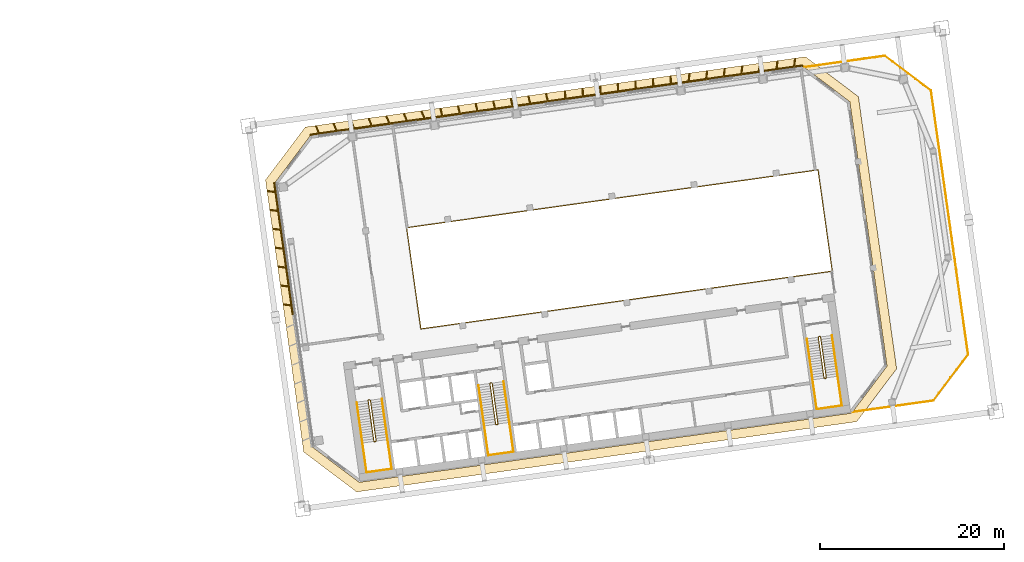
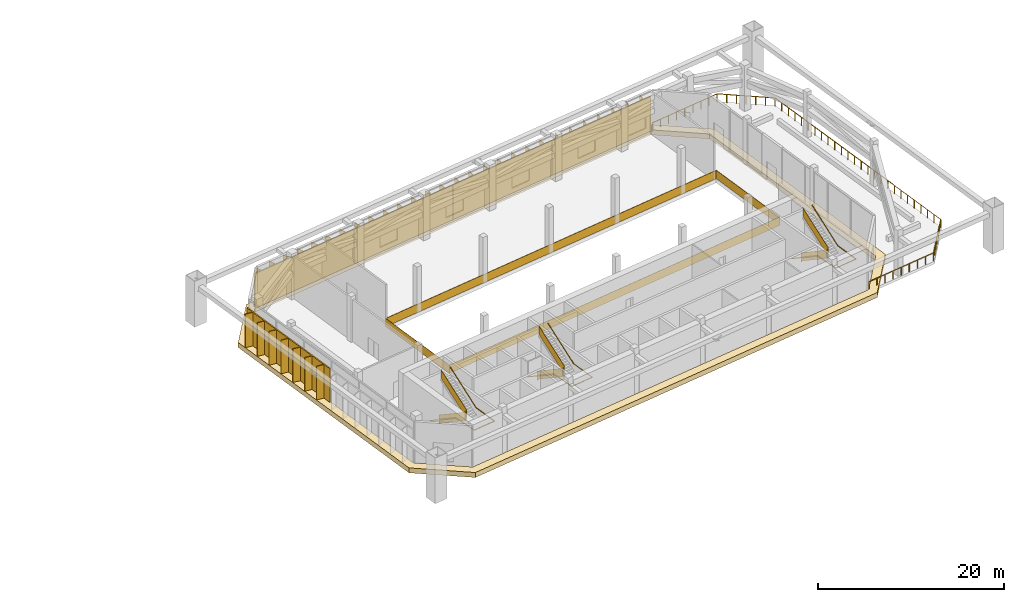
# One storey, part 41 of 41: 8 railings, 5 shading devices, 1 covering.
"""IFC4 building model written with IfcOpenShell, lengths in metres."""

from ifc_helpers import new_model, si_unit, direction, frame, origin, origin_2d, place, context, subcontext, project, spatial, polyline, rectangle, outline, extrude, material, layer, layer_set, type_object, element, save


model = new_model("IFC4")

# Units and contexts
model_context = context("Model", 3, precision=1e-05, world=origin(), true_north=direction((0.0, 1.0)))
body_context = subcontext(model_context, "Body", "Model", "MODEL_VIEW")
ifc_project = project(units=[si_unit("LENGTHUNIT", "METRE"), si_unit("AREAUNIT", "SQUARE_METRE"), si_unit("VOLUMEUNIT", "CUBIC_METRE"), si_unit("PLANEANGLEUNIT", "RADIAN"), si_unit("MASSUNIT", "GRAM", prefix="KILO")], contexts=[model_context])

# Site, building, storey
site_placement = place(None, origin())
site = spatial("IfcSite", under=ifc_project, at=site_placement, CompositionType="ELEMENT")
building_placement = place(site_placement, origin())
building = spatial("IfcBuilding", under=site, at=building_placement, Name="Mirante Cascada Hotel Towers", CompositionType="ELEMENT")
storey_placement = place(building_placement, frame((0.0, 0.0, 92.7)))
storey = spatial("IfcBuildingStorey", under=building, at=storey_placement, Name="L20", CompositionType="ELEMENT", Elevation=92.7)

# Covering
ifc_material_1 = material(Name="Precast concrete C40/50 white", Category="concrete")
ifc_layer = layer(ifc_material_1, 0.6)
ifc_layer_set = layer_set([ifc_layer], Name="Precast concrete SUNSHADE band 1000x600")
covering_type = type_object("IfcCoveringType", Name="Precast concrete SUNSHADE band 1000x600", PredefinedType="CLADDING", material=ifc_layer_set)
covering_placement = place(storey_placement, frame((0.0, 0.0, -0.5)))
element("IfcCovering", 1, at=covering_placement, inside=storey, type_object=covering_type, Name="Precast concrete SUNSHADE band T2 L20", PredefinedType="CLADDING", context=body_context, shape_type="SweptSolid", body=[
    extrude(outline(polyline([(26.9341, 12.6299), (31.2626, 18.374), (85.5574, 26.0046), (91.3015, 21.6761), (95.4528, -7.862), (91.1243, -13.6061), (36.8295, -21.2367), (31.0854, -16.9082), (26.9341, 12.6299)]), holes=[polyline([(94.4049, -7.591), (90.3689, 21.1268), (85.2864, 24.9567), (31.8119, 17.4414), (27.982, 12.3589), (32.018, -16.3589), (37.1005, -20.1888), (90.575, -12.6735), (94.4049, -7.591)])]), origin(), (0.0, 0.0, 1.0), 0.65),
])

# Railings
ifc_material_2 = material(Name="Toughened glass", Category="glass")
railing_type_1 = type_object("IfcRailingType", Name="Refuge floor atrium guard 1100 glass balustrade", PredefinedType="GUARDRAIL", material=ifc_material_2)
railing_1_placement = place(storey_placement, frame((43.7993, -3.5445, 0.0)))
element("IfcRailing", 2, at=railing_1_placement, inside=storey, type_object=railing_type_1, Name="Atrium guard T2 L20", PredefinedType="GUARDRAIL", context=body_context, shape_type="SweptSolid", body=[
    extrude(rectangle(XDim=0.048, YDim=0.048, at=origin_2d()), frame((0.0, 0.0, 1.076), z_axis=(0.9902681, 0.1391732, 0.0), x_axis=(-0.1391732, 0.9902681, 0.0)), (0.0, 0.0, 1.0), 45.0999),
    extrude(rectangle(XDim=0.02, YDim=1.052, at=origin_2d()), frame((0.0, 0.0, 0.526), z_axis=(0.9902681, 0.1391732, 0.0), x_axis=(-0.1391732, 0.9902681, 0.0)), (0.0, 0.0, 1.0), 45.0999),
    extrude(rectangle(XDim=0.048, YDim=0.048, at=origin_2d()), frame((44.661, 6.2767, 1.076), z_axis=(-0.1391721, 0.9902682, 0.0), x_axis=(-0.9902682, -0.1391721, 0.0)), (0.0, 0.0, 1.0), 11.0999),
    extrude(rectangle(XDim=0.02, YDim=1.052, at=origin_2d()), frame((44.661, 6.2767, 0.526), z_axis=(-0.1391721, 0.9902682, 0.0), x_axis=(-0.9902682, -0.1391721, 0.0)), (0.0, 0.0, 1.0), 11.0999),
    extrude(rectangle(XDim=0.048, YDim=0.048, at=origin_2d()), frame((43.1162, 17.2686, 1.076), z_axis=(-0.9902681, -0.1391729, 0.0), x_axis=(0.1391729, -0.9902681, 0.0)), (0.0, 0.0, 1.0), 45.1),
    extrude(rectangle(XDim=0.02, YDim=1.052, at=origin_2d()), frame((43.1162, 17.2686, 0.526), z_axis=(-0.9902681, -0.1391729, 0.0), x_axis=(0.1391729, -0.9902681, 0.0)), (0.0, 0.0, 1.0), 45.1),
    extrude(rectangle(XDim=0.048, YDim=0.048, at=origin_2d()), frame((-1.5449, 10.9919, 1.076), z_axis=(0.139181, -0.990267, 0.0), x_axis=(0.990267, 0.139181, 0.0)), (0.0, 0.0, 1.0), 11.0999),
    extrude(rectangle(XDim=0.02, YDim=1.052, at=origin_2d()), frame((-1.5449, 10.9919, 0.526), z_axis=(0.139181, -0.990267, 0.0), x_axis=(0.990267, 0.139181, 0.0)), (0.0, 0.0, 1.0), 11.0999),
])
ifc_material_3 = material(Name="Painted steel", Category="steel")
railing_type_2 = type_object("IfcRailingType", Name="Stair guard 1100 steel balustrade", PredefinedType="GUARDRAIL", material=ifc_material_3)
railing_2_placement = place(storey_placement, frame((38.2663, -11.2395, 0.0)))
element("IfcRailing", 3, at=railing_2_placement, inside=storey, type_object=railing_type_2, Name="L20 ST2-A stair guard 1", PredefinedType="GUARDRAIL", context=body_context, shape_type="SweptSolid", body=[
    extrude(rectangle(XDim=0.048, YDim=0.048, at=origin_2d()), frame((0.0, 0.0, 1.076), z_axis=(-0.9903326, -0.1387133, 0.0), x_axis=(0.1387133, -0.9903326, 0.0)), (0.0, 0.0, 1.0), 0.1499),
    extrude(rectangle(XDim=0.02, YDim=1.052, at=origin_2d()), frame((0.0, 0.0, 0.526), z_axis=(-0.9903326, -0.1387133, 0.0), x_axis=(0.1387133, -0.9903326, 0.0)), (0.0, 0.0, 1.0), 0.1499),
    extrude(rectangle(XDim=0.048, YDim=0.048, at=origin_2d()), frame((-0.1485, -0.0208, 1.076), z_axis=(-0.6020331, -0.7984711, 0.0), x_axis=(0.7984711, -0.6020331, 0.0)), (0.0, 0.9281858, 0.372117), 0.1902),
    extrude(rectangle(XDim=0.02, YDim=1.052, at=origin_2d()), frame((-0.1485, -0.0208, 0.526), z_axis=(-0.6020331, -0.7984711, 0.0), x_axis=(0.7984711, -0.6020331, 0.0)), (0.0, 0.9281858, 0.372117), 0.1902),
    extrude(rectangle(XDim=0.048, YDim=0.048, at=origin_2d()), frame((-0.1911, -0.0773, 1.2525), z_axis=(0.1391741, -0.9902679, 0.0), x_axis=(0.9902679, 0.1391741, 0.0)), (0.0, 0.5331864, 0.8459978), 5.2955),
    extrude(rectangle(XDim=0.02, YDim=1.052, at=origin_2d()), frame((-0.1911, -0.0773, 0.7025), z_axis=(0.1391741, -0.9902679, 0.0), x_axis=(0.9902679, 0.1391741, 0.0)), (0.0, 0.5331864, 0.8459978), 5.2955),
    extrude(rectangle(XDim=0.048, YDim=0.048, at=origin_2d()), frame((0.4324, -4.5137, 4.076), z_axis=(0.9944441, -0.1052656, 0.0), x_axis=(0.1052656, 0.9944441, 0.0)), (0.0, 0.0, 1.0), 0.2061),
    extrude(rectangle(XDim=0.02, YDim=1.052, at=origin_2d()), frame((0.4324, -4.5137, 3.526), z_axis=(0.9944441, -0.1052656, 0.0), x_axis=(0.1052656, 0.9944441, 0.0)), (0.0, 0.0, 1.0), 0.2061),
    extrude(rectangle(XDim=0.048, YDim=0.048, at=origin_2d()), frame((0.6374, -4.5354, 4.076), z_axis=(-0.9902408, -0.1393672, 0.0), x_axis=(0.1393672, -0.9902408, 0.0)), (0.0, 0.0, 1.0), 0.15),
    extrude(rectangle(XDim=0.02, YDim=1.052, at=origin_2d()), frame((0.6374, -4.5354, 3.526), z_axis=(-0.9902408, -0.1393672, 0.0), x_axis=(0.1393672, -0.9902408, 0.0)), (0.0, 0.0, 1.0), 0.15),
    extrude(rectangle(XDim=0.048, YDim=0.048, at=origin_2d()), frame((0.4889, -4.5563, 4.076), z_axis=(0.9268624, 0.3754011, 0.0), x_axis=(-0.3754011, 0.9268624, 0.0)), (0.0, 0.6503128, 0.7596665), 0.2714),
    extrude(rectangle(XDim=0.02, YDim=1.052, at=origin_2d()), frame((0.4889, -4.5563, 3.526), z_axis=(0.9268624, 0.3754011, 0.0), x_axis=(-0.3754011, 0.9268624, 0.0)), (0.0, 0.6503128, 0.7596665), 0.2714),
    extrude(rectangle(XDim=0.048, YDim=0.048, at=origin_2d()), frame((0.68, -4.4789, 4.2525), z_axis=(-0.1391741, 0.9902679, 0.0), x_axis=(-0.9902679, -0.1391741, 0.0)), (0.0, 0.5331864, 0.8459978), 5.2955),
    extrude(rectangle(XDim=0.02, YDim=1.052, at=origin_2d()), frame((0.68, -4.4789, 3.7025), z_axis=(-0.1391741, 0.9902679, 0.0), x_axis=(-0.9902679, -0.1391741, 0.0)), (0.0, 0.5331864, 0.8459978), 5.2955),
])
railing_3_placement = place(storey_placement, frame((51.4864, -9.3815, 0.0)))
element("IfcRailing", 4, at=railing_3_placement, inside=storey, type_object=railing_type_2, Name="L20 ST2-B stair guard 1", PredefinedType="GUARDRAIL", context=body_context, shape_type="SweptSolid", body=[
    extrude(rectangle(XDim=0.048, YDim=0.048, at=origin_2d()), frame((0.0, 0.0, 1.076), z_axis=(-0.9902408, -0.1393672, 0.0), x_axis=(0.1393672, -0.9902408, 0.0)), (0.0, 0.0, 1.0), 0.15),
    extrude(rectangle(XDim=0.02, YDim=1.052, at=origin_2d()), frame((0.0, 0.0, 0.526), z_axis=(-0.9902408, -0.1393672, 0.0), x_axis=(0.1393672, -0.9902408, 0.0)), (0.0, 0.0, 1.0), 0.15),
    extrude(rectangle(XDim=0.048, YDim=0.048, at=origin_2d()), frame((-0.1485, -0.0209, 1.076), z_axis=(-0.6020331, -0.7984711, 0.0), x_axis=(0.7984711, -0.6020331, 0.0)), (0.0, 0.9281858, 0.372117), 0.1902),
    extrude(rectangle(XDim=0.02, YDim=1.052, at=origin_2d()), frame((-0.1485, -0.0209, 0.526), z_axis=(-0.6020331, -0.7984711, 0.0), x_axis=(0.7984711, -0.6020331, 0.0)), (0.0, 0.9281858, 0.372117), 0.1902),
    extrude(rectangle(XDim=0.048, YDim=0.048, at=origin_2d()), frame((-0.1911, -0.0774, 1.2525), z_axis=(0.1391741, -0.9902679, 0.0), x_axis=(0.9902679, 0.1391741, 0.0)), (0.0, 0.5331864, 0.8459978), 5.2955),
    extrude(rectangle(XDim=0.02, YDim=1.052, at=origin_2d()), frame((-0.1911, -0.0774, 0.7025), z_axis=(0.1391741, -0.9902679, 0.0), x_axis=(0.9902679, 0.1391741, 0.0)), (0.0, 0.5331864, 0.8459978), 5.2955),
    extrude(rectangle(XDim=0.048, YDim=0.048, at=origin_2d()), frame((0.4324, -4.5138, 4.076), z_axis=(0.9944948, -0.1047858, 0.0), x_axis=(0.1047858, 0.9944948, 0.0)), (0.0, 0.0, 1.0), 0.2061),
    extrude(rectangle(XDim=0.02, YDim=1.052, at=origin_2d()), frame((0.4324, -4.5138, 3.526), z_axis=(0.9944948, -0.1047858, 0.0), x_axis=(0.1047858, 0.9944948, 0.0)), (0.0, 0.0, 1.0), 0.2061),
    extrude(rectangle(XDim=0.048, YDim=0.048, at=origin_2d()), frame((0.6374, -4.5354, 4.076), z_axis=(-0.9902408, -0.1393672, 0.0), x_axis=(0.1393672, -0.9902408, 0.0)), (0.0, 0.0, 1.0), 0.15),
    extrude(rectangle(XDim=0.02, YDim=1.052, at=origin_2d()), frame((0.6374, -4.5354, 3.526), z_axis=(-0.9902408, -0.1393672, 0.0), x_axis=(0.1393672, -0.9902408, 0.0)), (0.0, 0.0, 1.0), 0.15),
    extrude(rectangle(XDim=0.048, YDim=0.048, at=origin_2d()), frame((0.4889, -4.5563, 4.076), z_axis=(0.9270311, 0.3749843, 0.0), x_axis=(-0.3749843, 0.9270311, 0.0)), (0.0, 0.6503811, 0.7596081), 0.2714),
    extrude(rectangle(XDim=0.02, YDim=1.052, at=origin_2d()), frame((0.4889, -4.5563, 3.526), z_axis=(0.9270311, 0.3749843, 0.0), x_axis=(-0.3749843, 0.9270311, 0.0)), (0.0, 0.6503811, 0.7596081), 0.2714),
    extrude(rectangle(XDim=0.048, YDim=0.048, at=origin_2d()), frame((0.68, -4.479, 4.2525), z_axis=(-0.1391741, 0.9902679, 0.0), x_axis=(-0.9902679, -0.1391741, 0.0)), (0.0, 0.5331864, 0.8459978), 5.2955),
    extrude(rectangle(XDim=0.02, YDim=1.052, at=origin_2d()), frame((0.68, -4.479, 3.7025), z_axis=(-0.1391741, 0.9902679, 0.0), x_axis=(-0.9902679, -0.1391741, 0.0)), (0.0, 0.5331864, 0.8459978), 5.2955),
])
railing_4_placement = place(storey_placement, frame((87.1361, -4.3713, 0.0)))
element("IfcRailing", 5, at=railing_4_placement, inside=storey, type_object=railing_type_2, Name="L20 ST2-C stair guard 1", PredefinedType="GUARDRAIL", context=body_context, shape_type="SweptSolid", body=[
    extrude(rectangle(XDim=0.048, YDim=0.048, at=origin_2d()), frame((0.0, 0.0, 1.076), z_axis=(-0.9902537, -0.1392753, 0.0), x_axis=(0.1392753, -0.9902537, 0.0)), (0.0, 0.0, 1.0), 0.1501),
    extrude(rectangle(XDim=0.02, YDim=1.052, at=origin_2d()), frame((0.0, 0.0, 0.526), z_axis=(-0.9902537, -0.1392753, 0.0), x_axis=(0.1392753, -0.9902537, 0.0)), (0.0, 0.0, 1.0), 0.1501),
    extrude(rectangle(XDim=0.048, YDim=0.048, at=origin_2d()), frame((-0.1486, -0.0209, 1.076), z_axis=(-0.601811, -0.7986386, 0.0), x_axis=(0.7986386, -0.601811, 0.0)), (0.0, 0.9284401, 0.3714822), 0.1901),
    extrude(rectangle(XDim=0.02, YDim=1.052, at=origin_2d()), frame((-0.1486, -0.0209, 0.526), z_axis=(-0.601811, -0.7986386, 0.0), x_axis=(0.7986386, -0.601811, 0.0)), (0.0, 0.9284401, 0.3714822), 0.1901),
    extrude(rectangle(XDim=0.048, YDim=0.048, at=origin_2d()), frame((-0.1911, -0.0773, 1.2525), z_axis=(0.1391741, -0.9902679, 0.0), x_axis=(0.9902679, 0.1391741, 0.0)), (0.0, 0.5331864, 0.8459978), 5.2955),
    extrude(rectangle(XDim=0.02, YDim=1.052, at=origin_2d()), frame((-0.1911, -0.0773, 0.7025), z_axis=(0.1391741, -0.9902679, 0.0), x_axis=(0.9902679, 0.1391741, 0.0)), (0.0, 0.5331864, 0.8459978), 5.2955),
    extrude(rectangle(XDim=0.048, YDim=0.048, at=origin_2d()), frame((0.4324, -4.5137, 4.076), z_axis=(0.9944441, -0.1052656, 0.0), x_axis=(0.1052656, 0.9944441, 0.0)), (0.0, 0.0, 1.0), 0.2061),
    extrude(rectangle(XDim=0.02, YDim=1.052, at=origin_2d()), frame((0.4324, -4.5137, 3.526), z_axis=(0.9944441, -0.1052656, 0.0), x_axis=(0.1052656, 0.9944441, 0.0)), (0.0, 0.0, 1.0), 0.2061),
    extrude(rectangle(XDim=0.048, YDim=0.048, at=origin_2d()), frame((0.6374, -4.5354, 4.076), z_axis=(-0.9902537, -0.1392753, 0.0), x_axis=(0.1392753, -0.9902537, 0.0)), (0.0, 0.0, 1.0), 0.1501),
    extrude(rectangle(XDim=0.02, YDim=1.052, at=origin_2d()), frame((0.6374, -4.5354, 3.526), z_axis=(-0.9902537, -0.1392753, 0.0), x_axis=(0.1392753, -0.9902537, 0.0)), (0.0, 0.0, 1.0), 0.1501),
    extrude(rectangle(XDim=0.048, YDim=0.048, at=origin_2d()), frame((0.4888, -4.5563, 4.076), z_axis=(0.9268624, 0.3754011, 0.0), x_axis=(-0.3754011, 0.9268624, 0.0)), (0.0, 0.6503128, 0.7596665), 0.2714),
    extrude(rectangle(XDim=0.02, YDim=1.052, at=origin_2d()), frame((0.4888, -4.5563, 3.526), z_axis=(0.9268624, 0.3754011, 0.0), x_axis=(-0.3754011, 0.9268624, 0.0)), (0.0, 0.6503128, 0.7596665), 0.2714),
    extrude(rectangle(XDim=0.048, YDim=0.048, at=origin_2d()), frame((0.6799, -4.4789, 4.2525), z_axis=(-0.1391741, 0.9902679, 0.0), x_axis=(-0.9902679, -0.1391741, 0.0)), (0.0, 0.5331864, 0.8459978), 5.2955),
    extrude(rectangle(XDim=0.02, YDim=1.052, at=origin_2d()), frame((0.6799, -4.4789, 3.7025), z_axis=(-0.1391741, 0.9902679, 0.0), x_axis=(-0.9902679, -0.1391741, 0.0)), (0.0, 0.5331864, 0.8459978), 5.2955),
])
ifc_material_4 = material(Name="Painted steel", Category="steel")
railing_type_3 = type_object("IfcRailingType", Name="Stair handrail 900 steel tube", PredefinedType="HANDRAIL", material=ifc_material_4)
railing_5_placement = place(storey_placement, frame((36.8374, -11.4908, 0.1765)))
element("IfcRailing", 6, at=railing_5_placement, inside=storey, type_object=railing_type_3, Name="L20 ST2-A stair handrail 1", PredefinedType="HANDRAIL", context=body_context, shape_type="SweptSolid", body=[
    extrude(rectangle(XDim=0.048, YDim=0.048, at=origin_2d()), frame((0.0, 0.0, 0.876), z_axis=(0.1391741, -0.9902679, 0.0), x_axis=(0.9902679, 0.1391741, 0.0)), (0.0, 0.5331864, 0.8459978), 5.2955),
    extrude(rectangle(XDim=0.048, YDim=0.048, at=origin_2d()), frame((0.6234, -4.4354, 3.6994), z_axis=(0.1391644, -0.9902693, 0.0), x_axis=(0.9902693, 0.1391644, 0.0)), (0.0, 0.0547327, 0.998501), 3.2258),
    extrude(rectangle(XDim=0.048, YDim=0.048, at=origin_2d()), frame((1.0716, -7.625, 3.876), z_axis=(0.9902698, 0.1391607, 0.0), x_axis=(-0.1391607, 0.9902698, 0.0)), (0.0, 0.0, 1.0), 2.7501),
    extrude(rectangle(XDim=0.048, YDim=0.048, at=origin_2d()), frame((3.7949, -7.2423, 3.876), z_axis=(-0.1391949, 0.990265, 0.0), x_axis=(-0.990265, -0.1391949, 0.0)), (0.0, 0.0, 1.0), 3.2199),
    extrude(rectangle(XDim=0.048, YDim=0.048, at=origin_2d()), frame((3.3468, -4.0545, 3.8755), z_axis=(-0.1391741, 0.9902679, 0.0), x_axis=(-0.9902679, -0.1391741, 0.0)), (0.0, 0.5331864, 0.8459978), 5.2965),
])
railing_6_placement = place(storey_placement, frame((50.0575, -9.6328, 0.1765)))
element("IfcRailing", 7, at=railing_6_placement, inside=storey, type_object=railing_type_3, Name="L20 ST2-B stair handrail 1", PredefinedType="HANDRAIL", context=body_context, shape_type="SweptSolid", body=[
    extrude(rectangle(XDim=0.048, YDim=0.048, at=origin_2d()), frame((0.0, 0.0, 0.876), z_axis=(0.1391741, -0.9902679, 0.0), x_axis=(0.9902679, 0.1391741, 0.0)), (0.0, 0.5331864, 0.8459978), 5.2955),
    extrude(rectangle(XDim=0.048, YDim=0.048, at=origin_2d()), frame((0.6234, -4.4354, 3.6994), z_axis=(0.1391601, -0.9902699, 0.0), x_axis=(0.9902699, 0.1391601, 0.0)), (0.0, 0.054731, 0.9985011), 3.2259),
    extrude(rectangle(XDim=0.048, YDim=0.048, at=origin_2d()), frame((1.0716, -7.6251, 3.876), z_axis=(0.9902698, 0.1391607, 0.0), x_axis=(-0.1391607, 0.9902698, 0.0)), (0.0, 0.0, 1.0), 2.7501),
    extrude(rectangle(XDim=0.048, YDim=0.048, at=origin_2d()), frame((3.7949, -7.2424, 3.876), z_axis=(-0.1391906, 0.9902656, 0.0), x_axis=(-0.9902656, -0.1391906, 0.0)), (0.0, 0.0, 1.0), 3.22),
    extrude(rectangle(XDim=0.048, YDim=0.048, at=origin_2d()), frame((3.3468, -4.0545, 3.8755), z_axis=(-0.1391741, 0.9902679, 0.0), x_axis=(-0.9902679, -0.1391741, 0.0)), (0.0, 0.5331864, 0.8459978), 5.2965),
])
railing_7_placement = place(storey_placement, frame((85.7071, -4.6226, 0.1765)))
element("IfcRailing", 8, at=railing_7_placement, inside=storey, type_object=railing_type_3, Name="L20 ST2-C stair handrail 1", PredefinedType="HANDRAIL", context=body_context, shape_type="SweptSolid", body=[
    extrude(rectangle(XDim=0.048, YDim=0.048, at=origin_2d()), frame((0.0, 0.0, 0.876), z_axis=(0.1391741, -0.9902679, 0.0), x_axis=(0.9902679, 0.1391741, 0.0)), (0.0, 0.5331864, 0.8459978), 5.2955),
    extrude(rectangle(XDim=0.048, YDim=0.048, at=origin_2d()), frame((0.6234, -4.4354, 3.6994), z_axis=(0.1391906, -0.9902656, 0.0), x_axis=(0.9902656, 0.1391906, 0.0)), (0.0, 0.0547307, 0.9985011), 3.2259),
    extrude(rectangle(XDim=0.048, YDim=0.048, at=origin_2d()), frame((1.0717, -7.6251, 3.876), z_axis=(0.9902641, 0.1392013, 0.0), x_axis=(-0.1392013, 0.9902641, 0.0)), (0.0, 0.0, 1.0), 2.75),
    extrude(rectangle(XDim=0.048, YDim=0.048, at=origin_2d()), frame((3.7949, -7.2423, 3.876), z_axis=(-0.1391644, 0.9902693, 0.0), x_axis=(-0.9902693, -0.1391644, 0.0)), (0.0, 0.0, 1.0), 3.2199),
    extrude(rectangle(XDim=0.048, YDim=0.048, at=origin_2d()), frame((3.3469, -4.0545, 3.8755), z_axis=(-0.1391741, 0.9902679, 0.0), x_axis=(-0.9902679, -0.1391741, 0.0)), (0.0, 0.5331864, 0.8459978), 5.2965),
])
ifc_material_5 = material(Name="Stainless steel AISI 316", Category="steel")
railing_type_4 = type_object("IfcRailingType", Name="Terrace guard 1100", PredefinedType="GUARDRAIL", material=ifc_material_5)
railing_8_placement = place(storey_placement, frame((85.4273, 24.8755, 0.0)))
element("IfcRailing", 9, at=railing_8_placement, inside=storey, type_object=railing_type_4, Name="GUARD T2 L20 terrace 1", PredefinedType="GUARDRAIL", context=body_context, shape_type="SweptSolid", body=[
    extrude(outline(polyline([(0.025, 0.0104), (0.0104, 0.025), (-0.0104, 0.025), (-0.025, 0.0104), (-0.025, -0.0104), (-0.0104, -0.025), (0.0104, -0.025), (0.025, -0.0104), (0.025, 0.0104)])), frame((0.0, 0.0, 1.075), z_axis=(0.9902672, 0.1391792, 0.0), x_axis=(-0.1391792, 0.9902672, 0.0)), (0.0, 0.0, 1.0), 8.8303),
    extrude(outline(polyline([(0.025, 0.0104), (0.0104, 0.025), (-0.0104, 0.025), (-0.025, 0.0104), (-0.025, -0.0104), (-0.0104, -0.025), (0.0104, -0.025), (0.025, -0.0104), (0.025, 0.0104)])), frame((8.7444, 1.229, 1.075), z_axis=(0.7986319, -0.6018198, 0.0), x_axis=(0.6018198, 0.7986319, 0.0)), (0.0, 0.0, 1.0), 6.2811),
    extrude(outline(polyline([(0.025, 0.0104), (0.0104, 0.025), (-0.0104, 0.025), (-0.025, 0.0104), (-0.025, -0.0104), (-0.0104, -0.025), (0.0104, -0.025), (0.025, -0.0104), (0.025, 0.0104)])), frame((13.7607, -2.5511, 1.075), z_axis=(0.1391736, -0.990268, 0.0), x_axis=(0.990268, 0.1391736, 0.0)), (0.0, 0.0, 1.0), 28.9171),
    extrude(outline(polyline([(0.025, 0.0104), (0.0104, 0.025), (-0.0104, 0.025), (-0.025, 0.0104), (-0.025, -0.0104), (-0.0104, -0.025), (0.0104, -0.025), (0.025, -0.0104), (0.025, 0.0104)])), frame((17.7852, -31.1868, 1.075), z_axis=(-0.6018198, -0.7986319, 0.0), x_axis=(0.7986319, -0.6018198, 0.0)), (0.0, 0.0, 1.0), 6.2811),
    extrude(outline(polyline([(0.025, 0.0104), (0.0104, 0.025), (-0.0104, 0.025), (-0.025, 0.0104), (-0.025, -0.0104), (-0.0104, -0.025), (0.0104, -0.025), (0.025, -0.0104), (0.025, 0.0104)])), frame((14.0051, -36.2031, 1.075), z_axis=(-0.990267, -0.1391807, 0.0), x_axis=(0.1391807, -0.990267, 0.0)), (0.0, 0.0, 1.0), 8.8302),
    extrude(rectangle(XDim=0.05, YDim=0.05, at=origin_2d()), origin(), (0.0, 0.0, 1.0), 1.05),
    extrude(rectangle(XDim=0.05, YDim=0.05, at=origin_2d()), frame((1.093, 0.1536, 0.0)), (0.0, 0.0, 1.0), 1.05),
    extrude(rectangle(XDim=0.05, YDim=0.05, at=origin_2d()), frame((2.1861, 0.3073, 0.0)), (0.0, 0.0, 1.0), 1.05),
    extrude(rectangle(XDim=0.05, YDim=0.05, at=origin_2d()), frame((3.2791, 0.4609, 0.0)), (0.0, 0.0, 1.0), 1.05),
    extrude(rectangle(XDim=0.05, YDim=0.05, at=origin_2d()), frame((4.3722, 0.6145, 0.0)), (0.0, 0.0, 1.0), 1.05),
    extrude(rectangle(XDim=0.05, YDim=0.05, at=origin_2d()), frame((5.4652, 0.7681, 0.0)), (0.0, 0.0, 1.0), 1.05),
    extrude(rectangle(XDim=0.05, YDim=0.05, at=origin_2d()), frame((6.5583, 0.9218, 0.0)), (0.0, 0.0, 1.0), 1.05),
    extrude(rectangle(XDim=0.05, YDim=0.05, at=origin_2d()), frame((7.6513, 1.0754, 0.0)), (0.0, 0.0, 1.0), 1.05),
    extrude(rectangle(XDim=0.05, YDim=0.05, at=origin_2d()), frame((8.7444, 1.229, 0.0)), (0.0, 0.0, 1.0), 1.05),
    extrude(rectangle(XDim=0.05, YDim=0.05, at=origin_2d()), frame((9.5804, 0.599, 0.0)), (0.0, 0.0, 1.0), 1.05),
    extrude(rectangle(XDim=0.05, YDim=0.05, at=origin_2d()), frame((10.4165, -0.031, 0.0)), (0.0, 0.0, 1.0), 1.05),
    extrude(rectangle(XDim=0.05, YDim=0.05, at=origin_2d()), frame((11.2526, -0.661, 0.0)), (0.0, 0.0, 1.0), 1.05),
    extrude(rectangle(XDim=0.05, YDim=0.05, at=origin_2d()), frame((12.0886, -1.2911, 0.0)), (0.0, 0.0, 1.0), 1.05),
    extrude(rectangle(XDim=0.05, YDim=0.05, at=origin_2d()), frame((12.9246, -1.9211, 0.0)), (0.0, 0.0, 1.0), 1.05),
    extrude(rectangle(XDim=0.05, YDim=0.05, at=origin_2d()), frame((13.7607, -2.5511, 0.0)), (0.0, 0.0, 1.0), 1.05),
    extrude(rectangle(XDim=0.05, YDim=0.05, at=origin_2d()), frame((13.9217, -3.6965, 0.0)), (0.0, 0.0, 1.0), 1.05),
    extrude(rectangle(XDim=0.05, YDim=0.05, at=origin_2d()), frame((14.0827, -4.842, 0.0)), (0.0, 0.0, 1.0), 1.05),
    extrude(rectangle(XDim=0.05, YDim=0.05, at=origin_2d()), frame((14.2436, -5.9874, 0.0)), (0.0, 0.0, 1.0), 1.05),
    extrude(rectangle(XDim=0.05, YDim=0.05, at=origin_2d()), frame((14.4046, -7.1328, 0.0)), (0.0, 0.0, 1.0), 1.05),
    extrude(rectangle(XDim=0.05, YDim=0.05, at=origin_2d()), frame((14.5656, -8.2782, 0.0)), (0.0, 0.0, 1.0), 1.05),
    extrude(rectangle(XDim=0.05, YDim=0.05, at=origin_2d()), frame((14.7266, -9.4237, 0.0)), (0.0, 0.0, 1.0), 1.05),
    extrude(rectangle(XDim=0.05, YDim=0.05, at=origin_2d()), frame((14.8876, -10.5691, 0.0)), (0.0, 0.0, 1.0), 1.05),
    extrude(rectangle(XDim=0.05, YDim=0.05, at=origin_2d()), frame((15.0485, -11.7145, 0.0)), (0.0, 0.0, 1.0), 1.05),
    extrude(rectangle(XDim=0.05, YDim=0.05, at=origin_2d()), frame((15.2095, -12.86, 0.0)), (0.0, 0.0, 1.0), 1.05),
    extrude(rectangle(XDim=0.05, YDim=0.05, at=origin_2d()), frame((15.3705, -14.0054, 0.0)), (0.0, 0.0, 1.0), 1.05),
    extrude(rectangle(XDim=0.05, YDim=0.05, at=origin_2d()), frame((15.5315, -15.1508, 0.0)), (0.0, 0.0, 1.0), 1.05),
    extrude(rectangle(XDim=0.05, YDim=0.05, at=origin_2d()), frame((15.6925, -16.2962, 0.0)), (0.0, 0.0, 1.0), 1.05),
    extrude(rectangle(XDim=0.05, YDim=0.05, at=origin_2d()), frame((15.8534, -17.4417, 0.0)), (0.0, 0.0, 1.0), 1.05),
    extrude(rectangle(XDim=0.05, YDim=0.05, at=origin_2d()), frame((16.0144, -18.5871, 0.0)), (0.0, 0.0, 1.0), 1.05),
    extrude(rectangle(XDim=0.05, YDim=0.05, at=origin_2d()), frame((16.1754, -19.7325, 0.0)), (0.0, 0.0, 1.0), 1.05),
    extrude(rectangle(XDim=0.05, YDim=0.05, at=origin_2d()), frame((16.3364, -20.8779, 0.0)), (0.0, 0.0, 1.0), 1.05),
    extrude(rectangle(XDim=0.05, YDim=0.05, at=origin_2d()), frame((16.4974, -22.0234, 0.0)), (0.0, 0.0, 1.0), 1.05),
    extrude(rectangle(XDim=0.05, YDim=0.05, at=origin_2d()), frame((16.6583, -23.1688, 0.0)), (0.0, 0.0, 1.0), 1.05),
    extrude(rectangle(XDim=0.05, YDim=0.05, at=origin_2d()), frame((16.8193, -24.3142, 0.0)), (0.0, 0.0, 1.0), 1.05),
    extrude(rectangle(XDim=0.05, YDim=0.05, at=origin_2d()), frame((16.9803, -25.4597, 0.0)), (0.0, 0.0, 1.0), 1.05),
    extrude(rectangle(XDim=0.05, YDim=0.05, at=origin_2d()), frame((17.1413, -26.6051, 0.0)), (0.0, 0.0, 1.0), 1.05),
    extrude(rectangle(XDim=0.05, YDim=0.05, at=origin_2d()), frame((17.3023, -27.7505, 0.0)), (0.0, 0.0, 1.0), 1.05),
    extrude(rectangle(XDim=0.05, YDim=0.05, at=origin_2d()), frame((17.4632, -28.8959, 0.0)), (0.0, 0.0, 1.0), 1.05),
    extrude(rectangle(XDim=0.05, YDim=0.05, at=origin_2d()), frame((17.6242, -30.0414, 0.0)), (0.0, 0.0, 1.0), 1.05),
    extrude(rectangle(XDim=0.05, YDim=0.05, at=origin_2d()), frame((17.7852, -31.1868, 0.0)), (0.0, 0.0, 1.0), 1.05),
    extrude(rectangle(XDim=0.05, YDim=0.05, at=origin_2d()), frame((17.1552, -32.0228, 0.0)), (0.0, 0.0, 1.0), 1.05),
    extrude(rectangle(XDim=0.05, YDim=0.05, at=origin_2d()), frame((16.5252, -32.8589, 0.0)), (0.0, 0.0, 1.0), 1.05),
    extrude(rectangle(XDim=0.05, YDim=0.05, at=origin_2d()), frame((15.8952, -33.695, 0.0)), (0.0, 0.0, 1.0), 1.05),
    extrude(rectangle(XDim=0.05, YDim=0.05, at=origin_2d()), frame((15.2651, -34.531, 0.0)), (0.0, 0.0, 1.0), 1.05),
    extrude(rectangle(XDim=0.05, YDim=0.05, at=origin_2d()), frame((14.6351, -35.367, 0.0)), (0.0, 0.0, 1.0), 1.05),
    extrude(rectangle(XDim=0.05, YDim=0.05, at=origin_2d()), frame((14.0051, -36.2031, 0.0)), (0.0, 0.0, 1.0), 1.05),
    extrude(rectangle(XDim=0.05, YDim=0.05, at=origin_2d()), frame((12.9121, -36.3567, 0.0)), (0.0, 0.0, 1.0), 1.05),
    extrude(rectangle(XDim=0.05, YDim=0.05, at=origin_2d()), frame((11.819, -36.5104, 0.0)), (0.0, 0.0, 1.0), 1.05),
    extrude(rectangle(XDim=0.05, YDim=0.05, at=origin_2d()), frame((10.726, -36.664, 0.0)), (0.0, 0.0, 1.0), 1.05),
    extrude(rectangle(XDim=0.05, YDim=0.05, at=origin_2d()), frame((9.633, -36.8176, 0.0)), (0.0, 0.0, 1.0), 1.05),
    extrude(rectangle(XDim=0.05, YDim=0.05, at=origin_2d()), frame((8.5399, -36.9712, 0.0)), (0.0, 0.0, 1.0), 1.05),
    extrude(rectangle(XDim=0.05, YDim=0.05, at=origin_2d()), frame((7.4469, -37.1248, 0.0)), (0.0, 0.0, 1.0), 1.05),
    extrude(rectangle(XDim=0.05, YDim=0.05, at=origin_2d()), frame((6.3538, -37.2785, 0.0)), (0.0, 0.0, 1.0), 1.05),
    extrude(rectangle(XDim=0.05, YDim=0.05, at=origin_2d()), frame((5.2608, -37.4321, 0.0)), (0.0, 0.0, 1.0), 1.05),
])

# Shading devices
ifc_material_6 = material(Name="White precast concrete C50/60 fin", Category="concrete")
shading_device_type = type_object("IfcShadingDeviceType", Name="Vertical fin set 4500x900", PredefinedType="USERDEFINED", material=ifc_material_6)
shading_device_1_placement = place(storey_placement, origin())
element("IfcShadingDevice", 10, at=shading_device_1_placement, inside=storey, type_object=shading_device_type, Name="FIN T2 L20 front 1", ObjectType="FIN", PredefinedType="USERDEFINED", context=body_context, shape_type="SweptSolid", body=[
    extrude(outline(polyline([(73.0081, 24.1995), (72.9061, 23.3683), (74.7339, 23.6251), (74.8385, 24.4777), (74.9179, 24.4679), (74.8159, 23.6367), (76.6437, 23.8935), (76.7483, 24.7461), (76.8277, 24.7363), (76.7257, 23.9051), (78.5535, 24.1619), (78.6581, 25.0145), (78.7376, 25.0047), (78.6355, 24.1735), (80.4633, 24.4303), (80.5679, 25.2829), (80.6474, 25.2732), (80.5453, 24.4419), (82.3731, 24.6988), (82.4778, 25.5513), (82.5572, 25.5416), (82.4551, 24.7103), (84.2829, 24.9672), (84.3876, 25.8197), (84.467, 25.81), (84.3649, 24.9787), (85.2655, 25.1053), (85.2864, 24.9567), (71.9178, 23.0779), (71.8969, 23.2264), (72.8241, 23.3567), (72.9287, 24.2093), (73.0081, 24.1995)])), origin(), (0.0, 0.0, 1.0), 4.55),
])
shading_device_2_placement = place(storey_placement, origin())
element("IfcShadingDevice", 11, at=shading_device_2_placement, inside=storey, type_object=shading_device_type, Name="FIN T2 L20 front 2", ObjectType="FIN", PredefinedType="USERDEFINED", context=body_context, shape_type="SweptSolid", body=[
    extrude(outline(polyline([(59.483, 22.3331), (59.5273, 21.488), (61.3576, 21.7452), (61.3129, 22.5974), (61.3928, 22.6015), (61.4371, 21.7564), (63.2674, 22.0136), (63.2227, 22.8658), (63.3026, 22.8699), (63.3469, 22.0248), (65.1772, 22.282), (65.1325, 23.1342), (65.2124, 23.1384), (65.2567, 22.2932), (67.087, 22.5504), (67.0423, 23.4026), (67.1222, 23.4068), (67.1665, 22.5616), (68.9968, 22.8188), (68.9521, 23.671), (69.032, 23.6752), (69.0763, 22.83), (70.9066, 23.0872), (70.8619, 23.9394), (70.9418, 23.9436), (70.9861, 23.0984), (71.8969, 23.2264), (71.9178, 23.0779), (58.5492, 21.199), (58.5283, 21.3476), (59.4478, 21.4768), (59.4031, 22.3289), (59.483, 22.3331)])), origin(), (0.0, 0.0, 1.0), 4.55),
])
shading_device_3_placement = place(storey_placement, origin())
element("IfcShadingDevice", 12, at=shading_device_3_placement, inside=storey, type_object=shading_device_type, Name="FIN T2 L20 front 3", ObjectType="FIN", PredefinedType="USERDEFINED", context=body_context, shape_type="SweptSolid", body=[
    extrude(outline(polyline([(45.958, 20.4394), (46.15, 19.6079), (47.9803, 19.8652), (47.7899, 20.6898), (47.8678, 20.7078), (48.0598, 19.8763), (49.8901, 20.1336), (49.6997, 20.9582), (49.7776, 20.9762), (49.9696, 20.1447), (51.7999, 20.402), (51.6095, 21.2266), (51.6874, 21.2446), (51.8794, 20.4131), (53.7097, 20.6704), (53.5193, 21.495), (53.5973, 21.513), (53.7892, 20.6816), (55.6195, 20.9388), (55.4291, 21.7634), (55.5071, 21.7814), (55.699, 20.95), (57.5293, 21.2072), (57.3389, 22.0318), (57.4169, 22.0498), (57.6088, 21.2184), (58.5283, 21.3476), (58.5492, 21.199), (45.1805, 19.3202), (45.1597, 19.4687), (46.0705, 19.5968), (45.8801, 20.4214), (45.958, 20.4394)])), origin(), (0.0, 0.0, 1.0), 4.55),
])
shading_device_4_placement = place(storey_placement, origin())
element("IfcShadingDevice", 13, at=shading_device_4_placement, inside=storey, type_object=shading_device_type, Name="FIN T2 L20 front 4", ObjectType="FIN", PredefinedType="USERDEFINED", context=body_context, shape_type="SweptSolid", body=[
    extrude(outline(polyline([(32.4381, 18.5187), (32.7737, 17.728), (34.6015, 17.9849), (34.2742, 18.7558), (34.3479, 18.7871), (34.6835, 17.9964), (36.5113, 18.2533), (36.184, 19.0242), (36.2577, 19.0555), (36.5933, 18.2648), (38.4211, 18.5217), (38.0938, 19.2926), (38.1675, 19.3239), (38.5031, 18.5332), (40.3309, 18.7901), (40.0036, 19.561), (40.0773, 19.5923), (40.4129, 18.8016), (42.2407, 19.0585), (41.9134, 19.8295), (41.9871, 19.8607), (42.3227, 19.07), (44.1505, 19.3269), (43.8232, 20.0979), (43.8969, 20.1291), (44.2325, 19.3384), (45.1597, 19.4687), (45.1805, 19.3202), (31.8119, 17.4414), (31.791, 17.5899), (32.6917, 17.7165), (32.3644, 18.4874), (32.4381, 18.5187)])), origin(), (0.0, 0.0, 1.0), 4.55),
])
shading_device_5_placement = place(storey_placement, origin())
element("IfcShadingDevice", 14, at=shading_device_5_placement, inside=storey, type_object=shading_device_type, Name="FIN T2 L20 inner 1", ObjectType="FIN", PredefinedType="USERDEFINED", context=body_context, shape_type="SweptSolid", body=[
    extrude(outline(polyline([(28.8684, -0.8389), (29.6997, -0.941), (29.4229, 1.0283), (28.5704, 1.133), (28.5801, 1.2124), (29.4114, 1.1103), (29.1346, 3.0796), (28.2821, 3.1842), (28.2918, 3.2636), (29.1231, 3.1616), (28.8464, 5.1308), (27.9938, 5.2355), (28.0036, 5.3149), (28.8348, 5.2128), (28.5581, 7.1821), (27.7055, 7.2868), (27.7153, 7.3662), (28.5465, 7.2641), (28.2698, 9.2334), (27.4172, 9.338), (27.427, 9.4174), (28.2583, 9.3154), (27.9815, 11.2846), (27.1289, 11.3893), (27.1387, 11.4687), (27.97, 11.3667), (27.8334, 12.338), (27.982, 12.3589), (30.0, -2.0), (29.8515, -2.0209), (29.7112, -1.023), (28.8587, -0.9183), (28.8684, -0.8389)])), origin(), (0.0, 0.0, 1.0), 4.55),
])

save(model, "model.ifc")
